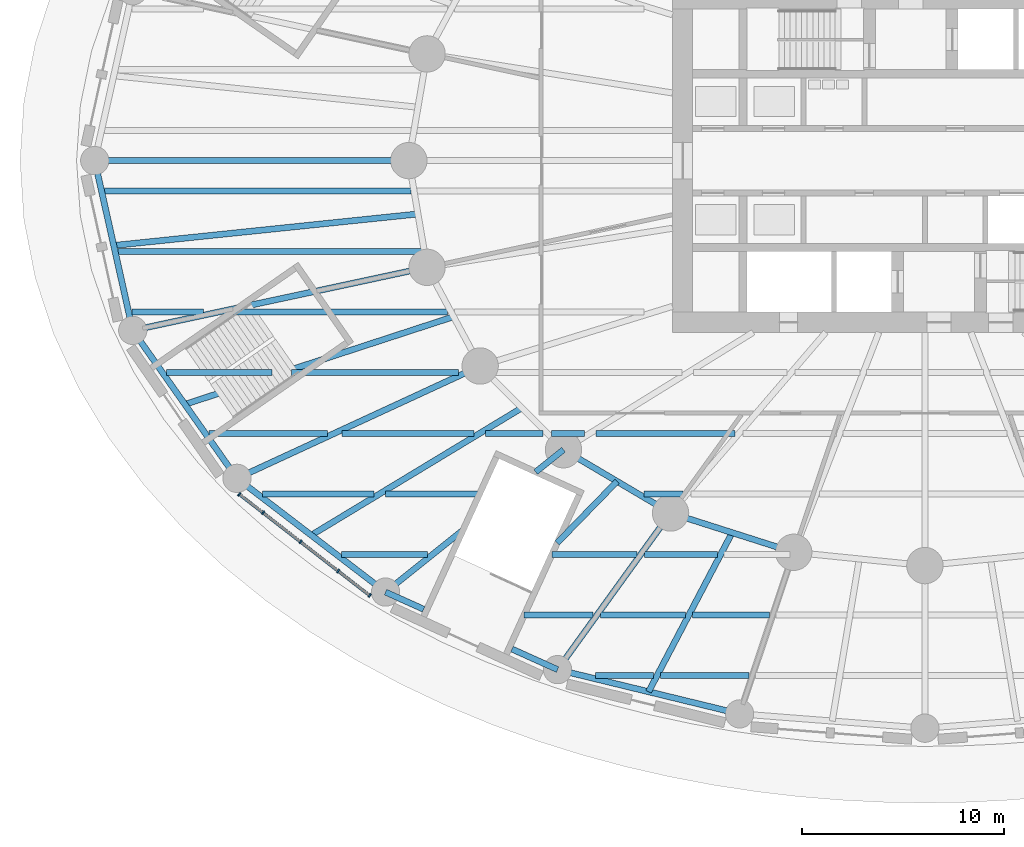
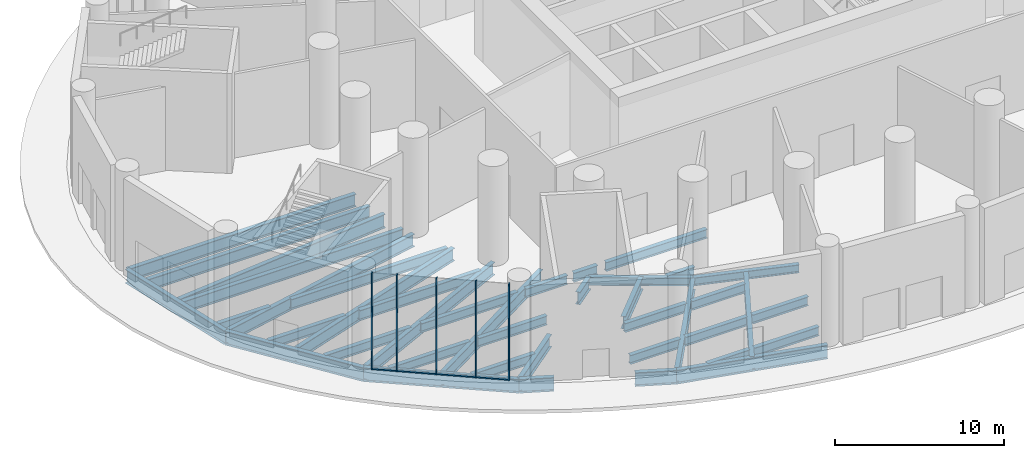
# One storey, part 2 of 22: 41 beams, 9 members, 1 element without a shape of its own.
"""IFC4 building model written with IfcOpenShell, lengths in metres."""

from ifc_helpers import new_model, si_unit, direction, frame, origin, origin_2d, place, context, subcontext, project, spatial, rectangle, i_section, extrude, material, material_profile, profile_set, type_object, element, aggregate, save


model = new_model("IFC4")

# Units and contexts
model_context = context("Model", 3, precision=1e-05, world=origin(), true_north=direction((0.0, 1.0)))
body_context = subcontext(model_context, "Body", "Model", "MODEL_VIEW")
ifc_project = project(units=[si_unit("LENGTHUNIT", "METRE"), si_unit("AREAUNIT", "SQUARE_METRE"), si_unit("VOLUMEUNIT", "CUBIC_METRE"), si_unit("PLANEANGLEUNIT", "RADIAN"), si_unit("MASSUNIT", "GRAM", prefix="KILO")], contexts=[model_context])

# Site, building, storey
site_placement = place(None, origin())
site = spatial("IfcSite", under=ifc_project, at=site_placement, CompositionType="ELEMENT")
building_placement = place(site_placement, origin())
building = spatial("IfcBuilding", under=site, at=building_placement, Name="Hankou Lantern Tower", CompositionType="ELEMENT")
storey_placement = place(building_placement, origin())
storey = spatial("IfcBuildingStorey", under=building, at=storey_placement, Name="L00", CompositionType="ELEMENT", Elevation=0.0)

# Beams
ifc_material_1 = material(Name="Steel Q355B", Category="steel")
ifc_material_profile_1 = material_profile(ifc_material_1, i_section(OverallWidth=0.300048828125, OverallDepth=0.587890625, WebThickness=0.011962890625, FlangeThickness=0.02001953125, FilletRadius=0.01806640625, at=origin_2d()), Name="HM588x300x12x20")
ifc_profile_set_1 = profile_set([ifc_material_profile_1], Name="Steel Q355B")
beam_type_1 = type_object("IfcBeamType", Name="EB16 RING BEAM HM588x300x12x20", PredefinedType="SPANDREL", material=ifc_profile_set_1)
beam_1_placement = place(storey_placement, frame((-17.891845703125, -14.3134765625, -0.5439453125), z_axis=(0.860881533543, -0.508805449268, 0.0), x_axis=(0.508805449268, 0.860881533543, 0.0)))
element("IfcBeam", 1, at=beam_1_placement, inside=storey, type_object=beam_type_1, Name="Ring beam R16-R17 L00", PredefinedType="SPANDREL", context=body_context, shape_type="SweptSolid", body=[
    extrude(i_section(OverallWidth=0.300048828125, OverallDepth=0.587890625, WebThickness=0.011962890625, FlangeThickness=0.02001953125, FilletRadius=0.01806640625, at=origin_2d()), origin(), (0.0, 0.0, 1.0), 6.15771484375),
])
beam_2_placement = place(storey_placement, frame((-12.5908203125, -17.446533203125, -0.5439453125), z_axis=(0.952690479428, -0.303942182671, 0.0), x_axis=(0.303942182671, 0.952690479428, 0.0)))
element("IfcBeam", 2, at=beam_2_placement, inside=storey, type_object=beam_type_1, Name="Ring beam R17-R18 L00", PredefinedType="SPANDREL", context=body_context, shape_type="SweptSolid", body=[
    extrude(i_section(OverallWidth=0.300048828125, OverallDepth=0.587890625, WebThickness=0.011962890625, FlangeThickness=0.02001953125, FilletRadius=0.01806640625, at=origin_2d()), origin(), (0.0, 0.0, 1.0), 6.398681640625),
])

# Curtain wall, members
ifc_material_2 = material(Name="Glass, dark grey tinted laminated", Category="glass")
curtain_wall_type = type_object("IfcCurtainWallType", Name="CWP PODIUM CURTAIN WALL", PredefinedType="USERDEFINED", material=ifc_material_2)
curtain_wall_placement = place(storey_placement, origin())
curtain_wall = element("IfcCurtainWall", 3, at=curtain_wall_placement, inside=storey, type_object=curtain_wall_type, Name="CWP L00 PC06", ObjectType="PODIUM GLAZING", PredefinedType="USERDEFINED")
ifc_material_3 = material(Name="Aluminium, black anodised", Category="aluminium")
ifc_material_profile_2 = material_profile(ifc_material_3, rectangle(XDim=0.080078125, YDim=0.199951171875, at=origin_2d()), Name="MU2 80X200")
ifc_profile_set_2 = profile_set([ifc_material_profile_2], Name="Aluminium, black anodised")
member_type_1 = type_object("IfcMemberType", Name="MU2 PODIUM MULLION 80X200", PredefinedType="MULLION", material=ifc_profile_set_2)
member_1_placement = place(storey_placement, frame((-33.945068359375, -16.520751953125, 0.0), z_axis=(0.0, 0.0, 1.0), x_axis=(0.790129760642, -0.612939606608, 0.0)))
member_1 = element("IfcMember", 4, at=member_1_placement, type_object=member_type_1, Name="CWP mullion 1", PredefinedType="MULLION", context=body_context, shape_type="SweptSolid", body=[
    extrude(rectangle(XDim=0.080078125, YDim=0.199951171875, at=origin_2d()), origin(), (0.0, 0.0, 1.0), 6.949951171875),
])
member_2_placement = place(storey_placement, frame((-32.76806640625, -17.433837890625, 0.0), z_axis=(0.0, 0.0, 1.0), x_axis=(0.790129760642, -0.612939606608, 0.0)))
member_2 = element("IfcMember", 5, at=member_2_placement, type_object=member_type_1, Name="CWP mullion 2", PredefinedType="MULLION", context=body_context, shape_type="SweptSolid", body=[
    extrude(rectangle(XDim=0.080078125, YDim=0.199951171875, at=origin_2d()), origin(), (0.0, 0.0, 1.0), 6.949951171875),
])
member_3_placement = place(storey_placement, frame((-30.91064453125, -18.874755859375, 0.0), z_axis=(0.0, 0.0, 1.0), x_axis=(0.790129760642, -0.612939606608, 0.0)))
member_3 = element("IfcMember", 6, at=member_3_placement, type_object=member_type_1, Name="CWP mullion 3", PredefinedType="MULLION", context=body_context, shape_type="SweptSolid", body=[
    extrude(rectangle(XDim=0.080078125, YDim=0.199951171875, at=origin_2d()), origin(), (0.0, 0.0, 1.0), 6.949951171875),
])
member_4_placement = place(storey_placement, frame((-29.05322265625, -20.315673828125, 0.0), z_axis=(0.0, 0.0, 1.0), x_axis=(0.790129760642, -0.612939606608, 0.0)))
member_4 = element("IfcMember", 7, at=member_4_placement, type_object=member_type_1, Name="CWP mullion 4", PredefinedType="MULLION", context=body_context, shape_type="SweptSolid", body=[
    extrude(rectangle(XDim=0.080078125, YDim=0.199951171875, at=origin_2d()), origin(), (0.0, 0.0, 1.0), 6.949951171875),
])
member_5_placement = place(storey_placement, frame((-27.487060546875, -21.530517578125, 0.0), z_axis=(0.0, 0.0, 1.0), x_axis=(0.790129760642, -0.612939606608, 0.0)))
member_5 = element("IfcMember", 8, at=member_5_placement, type_object=member_type_1, Name="CWP mullion 5", PredefinedType="MULLION", context=body_context, shape_type="SweptSolid", body=[
    extrude(rectangle(XDim=0.080078125, YDim=0.199951171875, at=origin_2d()), origin(), (0.0, 0.0, 1.0), 6.949951171875),
])

# Beams
ifc_material_4 = material(Name="Steel Q355B", Category="steel")
ifc_material_profile_3 = material_profile(ifc_material_4, i_section(OverallWidth=0.300048828125, OverallDepth=0.89990234375, WebThickness=0.01611328125, FlangeThickness=0.028076171875, FilletRadius=0.01806640625, at=origin_2d()), Name="HN900x300x16x28")
ifc_profile_set_3 = profile_set([ifc_material_profile_3], Name="Steel Q355B")
beam_type_2 = type_object("IfcBeamType", Name="PB13 PODIUM RADIAL BEAM HN900x300x16x28", PredefinedType="BEAM", material=ifc_profile_set_3)
beam_3_placement = place(storey_placement, frame((-25.550048828125, 0.0, -0.699951171875), z_axis=(-1.0, 0.0, 0.0), x_axis=(0.0, -1.0, 0.0)))
element("IfcBeam", 9, at=beam_3_placement, inside=storey, type_object=beam_type_2, Name="Podium radial beam R13 L00", PredefinedType="BEAM", context=body_context, shape_type="SweptSolid", body=[
    extrude(i_section(OverallWidth=0.300048828125, OverallDepth=0.89990234375, WebThickness=0.01611328125, FlangeThickness=0.028076171875, FilletRadius=0.01806640625, at=origin_2d()), origin(), (0.0, 0.0, 1.0), 15.550048828125),
])
beam_4_placement = place(storey_placement, frame((-24.64697265625, -5.283203125, -0.699951171875), z_axis=(-0.977784908271, -0.209610765845, 0.0), x_axis=(0.209610765845, -0.977784908271, 0.0)))
element("IfcBeam", 10, at=beam_4_placement, inside=storey, type_object=beam_type_2, Name="Podium radial beam R14 L00", PredefinedType="BEAM", context=body_context, shape_type="SweptSolid", body=[
    extrude(i_section(OverallWidth=0.300048828125, OverallDepth=0.89990234375, WebThickness=0.01611328125, FlangeThickness=0.028076171875, FilletRadius=0.01806640625, at=origin_2d()), origin(), (0.0, 0.0, 1.0), 14.901611328125),
])
beam_5_placement = place(storey_placement, frame((-22.01904296875, -10.170166015625, -0.699951171875), z_axis=(-0.907840792808, -0.419315030633, 0.0), x_axis=(0.419315030633, -0.907840792808, 0.0)))
element("IfcBeam", 11, at=beam_5_placement, inside=storey, type_object=beam_type_2, Name="Podium radial beam R15 L00", PredefinedType="BEAM", context=body_context, shape_type="SweptSolid", body=[
    extrude(i_section(OverallWidth=0.300048828125, OverallDepth=0.89990234375, WebThickness=0.01611328125, FlangeThickness=0.028076171875, FilletRadius=0.01806640625, at=origin_2d()), origin(), (0.0, 0.0, 1.0), 13.259765625),
])
beam_6_placement = place(storey_placement, frame((-17.891845703125, -14.3134765625, -0.699951171875), z_axis=(-0.780882307425, -0.624678174703, 0.0), x_axis=(0.624678174703, -0.780882307425, 0.0)))
element("IfcBeam", 12, at=beam_6_placement, inside=storey, type_object=beam_type_2, Name="Podium radial beam R16 L00 inner part", PredefinedType="BEAM", context=body_context, shape_type="SweptSolid", body=[
    extrude(i_section(OverallWidth=0.300048828125, OverallDepth=0.89990234375, WebThickness=0.01611328125, FlangeThickness=0.028076171875, FilletRadius=0.01806640625, at=origin_2d()), origin(), (0.0, 0.0, 1.0), 1.7646484375),
])
beam_7_placement = place(storey_placement, frame((-22.862548828125, -18.2900390625, -0.699951171875), z_axis=(-0.780883341642, -0.624676881872, 0.0), x_axis=(0.624676881872, -0.780883341642, 0.0)))
element("IfcBeam", 13, at=beam_7_placement, inside=storey, type_object=beam_type_2, Name="Podium radial beam R16 L00 outer part", PredefinedType="BEAM", context=body_context, shape_type="SweptSolid", body=[
    extrude(i_section(OverallWidth=0.300048828125, OverallDepth=0.89990234375, WebThickness=0.01611328125, FlangeThickness=0.028076171875, FilletRadius=0.01806640625, at=origin_2d()), origin(), (0.0, 0.0, 1.0), 4.9169921875),
])
beam_8_placement = place(storey_placement, frame((-12.5908203125, -17.446533203125, -0.699951171875), z_axis=(-0.585207097055, -0.810883871807, 0.0), x_axis=(0.810883871807, -0.585207097055, 0.0)))
element("IfcBeam", 14, at=beam_8_placement, inside=storey, type_object=beam_type_2, Name="Podium radial beam R17 L00", PredefinedType="BEAM", context=body_context, shape_type="SweptSolid", body=[
    extrude(i_section(OverallWidth=0.300048828125, OverallDepth=0.89990234375, WebThickness=0.01611328125, FlangeThickness=0.028076171875, FilletRadius=0.01806640625, at=origin_2d()), origin(), (0.0, 0.0, 1.0), 9.56103515625),
])
ifc_material_5 = material(Name="Steel Q355B", Category="steel")
ifc_material_profile_4 = material_profile(ifc_material_5, i_section(OverallWidth=0.300048828125, OverallDepth=1.0, WebThickness=0.01904296875, FlangeThickness=0.035888671875, FilletRadius=0.01806640625, at=origin_2d()), Name="HN1000x300x19x36")
ifc_profile_set_4 = profile_set([ifc_material_profile_4], Name="Steel Q355B")
beam_type_3 = type_object("IfcBeamType", Name="PR22 PODIUM RING BEAM HN1000x300x19x36", PredefinedType="BEAM", material=ifc_profile_set_4)
beam_9_placement = place(storey_placement, frame((-41.10009765625, 0.0, -0.75), z_axis=(0.218523498172, -0.975831686689, 0.0), x_axis=(0.975831686689, 0.218523498172, 0.0)))
element("IfcBeam", 15, at=beam_9_placement, inside=storey, type_object=beam_type_3, Name="Podium ring beam R13-R14 L00", PredefinedType="BEAM", context=body_context, shape_type="SweptSolid", body=[
    extrude(i_section(OverallWidth=0.300048828125, OverallDepth=1.0, WebThickness=0.01904296875, FlangeThickness=0.035888671875, FilletRadius=0.01806640625, at=origin_2d()), origin(), (0.0, 0.0, 1.0), 8.614990234375),
])
beam_10_placement = place(storey_placement, frame((-39.217529296875, -8.40673828125, -0.75), z_axis=(0.576021821376, -0.817434316199, 0.0), x_axis=(0.817434316199, 0.576021821376, 0.0)))
element("IfcBeam", 16, at=beam_10_placement, inside=storey, type_object=beam_type_3, Name="Podium ring beam R14-R15 L00", PredefinedType="BEAM", context=body_context, shape_type="SweptSolid", body=[
    extrude(i_section(OverallWidth=0.300048828125, OverallDepth=1.0, WebThickness=0.01904296875, FlangeThickness=0.035888671875, FilletRadius=0.01806640625, at=origin_2d()), origin(), (0.0, 0.0, 1.0), 8.959228515625),
])
beam_11_placement = place(storey_placement, frame((-34.056884765625, -15.730224609375, -0.75), z_axis=(0.793985875103, -0.607936205647, 0.0), x_axis=(0.607936205647, 0.793985875103, 0.0)))
element("IfcBeam", 17, at=beam_11_placement, inside=storey, type_object=beam_type_3, Name="Podium ring beam R15-R16 L00", PredefinedType="BEAM", context=body_context, shape_type="SweptSolid", body=[
    extrude(i_section(OverallWidth=0.300048828125, OverallDepth=1.0, WebThickness=0.01904296875, FlangeThickness=0.035888671875, FilletRadius=0.01806640625, at=origin_2d()), origin(), (0.0, 0.0, 1.0), 9.262939453125),
])
beam_12_placement = place(storey_placement, frame((-26.7021484375, -21.361572265625, -0.75), z_axis=(0.911680465406, -0.410899901431, 0.0), x_axis=(0.410899901431, 0.911680465406, 0.0)))
element("IfcBeam", 18, at=beam_12_placement, inside=storey, type_object=beam_type_3, Name="Podium ring beam R16-R17 L00 west part", PredefinedType="BEAM", context=body_context, shape_type="SweptSolid", body=[
    extrude(i_section(OverallWidth=0.300048828125, OverallDepth=1.0, WebThickness=0.01904296875, FlangeThickness=0.035888671875, FilletRadius=0.01806640625, at=origin_2d()), origin(), (0.0, 0.0, 1.0), 2.067138671875),
])
beam_13_placement = place(storey_placement, frame((-20.44140625, -24.18310546875, -0.75), z_axis=(0.911703477689, -0.410848839318, 0.0), x_axis=(0.410848839318, 0.911703477689, 0.0)))
element("IfcBeam", 19, at=beam_13_placement, inside=storey, type_object=beam_type_3, Name="Podium ring beam R16-R17 L00 east part", PredefinedType="BEAM", context=body_context, shape_type="SweptSolid", body=[
    extrude(i_section(OverallWidth=0.300048828125, OverallDepth=1.0, WebThickness=0.01904296875, FlangeThickness=0.035888671875, FilletRadius=0.01806640625, at=origin_2d()), origin(), (0.0, 0.0, 1.0), 2.473876953125),
])
beam_14_placement = place(storey_placement, frame((-18.18603515625, -25.199462890625, -0.75), z_axis=(0.971677242441, -0.23631194748, 0.0), x_axis=(0.23631194748, 0.971677242441, 0.0)))
element("IfcBeam", 20, at=beam_14_placement, inside=storey, type_object=beam_type_3, Name="Podium ring beam R17-R18 L00", PredefinedType="BEAM", context=body_context, shape_type="SweptSolid", body=[
    extrude(i_section(OverallWidth=0.300048828125, OverallDepth=1.0, WebThickness=0.01904296875, FlangeThickness=0.035888671875, FilletRadius=0.01806640625, at=origin_2d()), origin(), (0.0, 0.0, 1.0), 9.2744140625),
])
ifc_material_6 = material(Name="Steel Q355B", Category="steel")
ifc_material_profile_5 = material_profile(ifc_material_6, i_section(OverallWidth=0.300048828125, OverallDepth=0.89990234375, WebThickness=0.01611328125, FlangeThickness=0.028076171875, FilletRadius=0.01806640625, at=origin_2d()), Name="HN900x300x16x28")
ifc_profile_set_5 = profile_set([ifc_material_profile_5], Name="Steel Q355B")
beam_type_4 = type_object("IfcBeamType", Name="PS13 PODIUM SECONDARY BEAM HN900x300x16x28", PredefinedType="JOIST", material=ifc_profile_set_5)
beam_15_placement = place(storey_placement, frame((-23.3330078125, -7.726806640625, -0.699951171875), z_axis=(-0.950661853908, -0.310229011415, 0.0), x_axis=(0.310229011415, -0.950661853908, 0.0)))
element("IfcBeam", 21, at=beam_15_placement, inside=storey, type_object=beam_type_4, Name="Podium secondary beam bay R14 L00", PredefinedType="JOIST", context=body_context, shape_type="SweptSolid", body=[
    extrude(i_section(OverallWidth=0.300048828125, OverallDepth=0.89990234375, WebThickness=0.01611328125, FlangeThickness=0.028076171875, FilletRadius=0.01806640625, at=origin_2d()), origin(), (0.0, 0.0, 1.0), 13.99462890625),
])
beam_16_placement = place(storey_placement, frame((-19.955322265625, -12.24169921875, -0.699951171875), z_axis=(-0.855685755165, -0.517495785884, 0.0), x_axis=(0.517495785884, -0.855685755165, 0.0)))
element("IfcBeam", 22, at=beam_16_placement, inside=storey, type_object=beam_type_4, Name="Podium secondary beam bay R15 L00", PredefinedType="JOIST", context=body_context, shape_type="SweptSolid", body=[
    extrude(i_section(OverallWidth=0.300048828125, OverallDepth=0.89990234375, WebThickness=0.01611328125, FlangeThickness=0.028076171875, FilletRadius=0.01806640625, at=origin_2d()), origin(), (0.0, 0.0, 1.0), 12.18212890625),
])
beam_17_placement = place(storey_placement, frame((-15.2412109375, -15.8798828125, -0.699951171875), z_axis=(-0.697479343091, -0.716604888319, 0.0), x_axis=(0.716604888319, -0.697479343091, 0.0)))
element("IfcBeam", 23, at=beam_17_placement, inside=storey, type_object=beam_type_4, Name="Podium secondary beam bay R16 L00", PredefinedType="JOIST", context=body_context, shape_type="SweptSolid", body=[
    extrude(i_section(OverallWidth=0.300048828125, OverallDepth=0.89990234375, WebThickness=0.01611328125, FlangeThickness=0.028076171875, FilletRadius=0.01806640625, at=origin_2d()), origin(), (0.0, 0.0, 1.0), 4.250732421875),
])
beam_18_placement = place(storey_placement, frame((-9.54296875, -18.4189453125, -0.699951171875), z_axis=(-0.465026961303, -0.88529651827, 0.0), x_axis=(0.88529651827, -0.465026961303, 0.0)))
element("IfcBeam", 24, at=beam_18_placement, inside=storey, type_object=beam_type_4, Name="Podium secondary beam bay R17 L00", PredefinedType="JOIST", context=body_context, shape_type="SweptSolid", body=[
    extrude(i_section(OverallWidth=0.300048828125, OverallDepth=0.89990234375, WebThickness=0.01611328125, FlangeThickness=0.028076171875, FilletRadius=0.01806640625, at=origin_2d()), origin(), (0.0, 0.0, 1.0), 8.896728515625),
])
ifc_material_7 = material(Name="Steel Q355B", Category="steel")
ifc_material_profile_6 = material_profile(ifc_material_7, i_section(OverallWidth=0.300048828125, OverallDepth=1.0, WebThickness=0.01904296875, FlangeThickness=0.035888671875, FilletRadius=0.01806640625, at=origin_2d()), Name="HN1000x300x19x36")
ifc_profile_set_6 = profile_set([ifc_material_profile_6], Name="Steel Q355B")
beam_type_5 = type_object("IfcBeamType", Name="PS22 PODIUM SECONDARY BEAM HN1000x300x19x36", PredefinedType="JOIST", material=ifc_profile_set_6)
beam_19_placement = place(storey_placement, frame((-25.098388671875, -2.6416015625, -0.75), z_axis=(-0.994666039581, -0.103147805132, 0.0), x_axis=(0.103147805132, -0.994666039581, 0.0)))
element("IfcBeam", 25, at=beam_19_placement, inside=storey, type_object=beam_type_5, Name="Podium secondary beam bay R13 L00", PredefinedType="JOIST", context=body_context, shape_type="SweptSolid", body=[
    extrude(i_section(OverallWidth=0.300048828125, OverallDepth=1.0, WebThickness=0.01904296875, FlangeThickness=0.035888671875, FilletRadius=0.01806640625, at=origin_2d()), origin(), (0.0, 0.0, 1.0), 15.14111328125),
])
ifc_material_8 = material(Name="Steel Q355B", Category="steel")
ifc_material_profile_7 = material_profile(ifc_material_8, i_section(OverallWidth=0.300048828125, OverallDepth=0.75, WebThickness=0.012939453125, FlangeThickness=0.02392578125, FilletRadius=0.01806640625, at=origin_2d()), Name="HN750x300x13x24")
ifc_profile_set_7 = profile_set([ifc_material_profile_7], Name="Steel Q355B")
beam_type_6 = type_object("IfcBeamType", Name="SB10 SECONDARY BEAM HN750x300x13x24", PredefinedType="JOIST", material=ifc_profile_set_7)
beam_20_placement = place(storey_placement, frame((-31.34765625, -10.5, -0.625), z_axis=(1.0, 0.0, 0.0), x_axis=(0.0, 1.0, 0.0)))
element("IfcBeam", 26, at=beam_20_placement, inside=storey, type_object=beam_type_6, Name="Floor joist J060 L00", PredefinedType="JOIST", context=body_context, shape_type="SweptSolid", body=[
    extrude(i_section(OverallWidth=0.300048828125, OverallDepth=0.75, WebThickness=0.012939453125, FlangeThickness=0.02392578125, FilletRadius=0.01806640625, at=origin_2d()), origin(), (0.0, 0.0, 1.0), 8.2568359375),
])
beam_21_placement = place(storey_placement, frame((-34.2724609375, -7.5, -0.625), z_axis=(1.0, 0.0, 0.0), x_axis=(0.0, 1.0, 0.0)))
element("IfcBeam", 27, at=beam_21_placement, inside=storey, type_object=beam_type_6, Name="Floor joist J072 L00", PredefinedType="JOIST", context=body_context, shape_type="SweptSolid", body=[
    extrude(i_section(OverallWidth=0.300048828125, OverallDepth=0.75, WebThickness=0.012939453125, FlangeThickness=0.02392578125, FilletRadius=0.01806640625, at=origin_2d()), origin(), (0.0, 0.0, 1.0), 10.647216796875),
])
ifc_material_9 = material(Name="Steel Q355B", Category="steel")
ifc_material_profile_8 = material_profile(ifc_material_9, i_section(OverallWidth=0.300048828125, OverallDepth=0.85009765625, WebThickness=0.01611328125, FlangeThickness=0.027099609375, FilletRadius=0.01806640625, at=origin_2d()), Name="HN850x300x16x27")
ifc_profile_set_8 = profile_set([ifc_material_profile_8], Name="Steel Q355B")
beam_type_7 = type_object("IfcBeamType", Name="SB12 SECONDARY BEAM HN850x300x16x27", PredefinedType="JOIST", material=ifc_profile_set_8)
beam_22_placement = place(storey_placement, frame((-39.938720703125, -4.5, -0.675048828125), z_axis=(1.0, 0.0, 0.0), x_axis=(0.0, 1.0, 0.0)))
element("IfcBeam", 28, at=beam_22_placement, inside=storey, type_object=beam_type_7, Name="Floor joist J077 L00", PredefinedType="JOIST", context=body_context, shape_type="SweptSolid", body=[
    extrude(i_section(OverallWidth=0.300048828125, OverallDepth=0.85009765625, WebThickness=0.01611328125, FlangeThickness=0.027099609375, FilletRadius=0.01806640625, at=origin_2d()), origin(), (0.0, 0.0, 1.0), 15.005615234375),
])
beam_23_placement = place(storey_placement, frame((-40.6103515625, -1.5, -0.675048828125), z_axis=(1.0, 0.0, 0.0), x_axis=(0.0, 1.0, 0.0)))
element("IfcBeam", 29, at=beam_23_placement, inside=storey, type_object=beam_type_7, Name="Floor joist J083 L00", PredefinedType="JOIST", context=body_context, shape_type="SweptSolid", body=[
    extrude(i_section(OverallWidth=0.300048828125, OverallDepth=0.85009765625, WebThickness=0.01611328125, FlangeThickness=0.027099609375, FilletRadius=0.01806640625, at=origin_2d()), origin(), (0.0, 0.0, 1.0), 15.16455078125),
])
ifc_material_10 = material(Name="Steel Q355B", Category="steel")
ifc_material_profile_9 = material_profile(ifc_material_10, i_section(OverallWidth=0.300048828125, OverallDepth=0.64990234375, WebThickness=0.010986328125, FlangeThickness=0.01708984375, FilletRadius=0.01806640625, at=origin_2d()), Name="HN650x300x11x17")
ifc_profile_set_9 = profile_set([ifc_material_profile_9], Name="Steel Q355B")
beam_type_8 = type_object("IfcBeamType", Name="SB8 SECONDARY BEAM HN650x300x11x17", PredefinedType="JOIST", material=ifc_profile_set_9)
beam_24_placement = place(storey_placement, frame((-16.3154296875, -25.5, -0.574951171875), z_axis=(1.0, 0.0, 0.0), x_axis=(0.0, 1.0, 0.0)))
element("IfcBeam", 30, at=beam_24_placement, inside=storey, type_object=beam_type_8, Name="Floor joist J001 L00", PredefinedType="JOIST", context=body_context, shape_type="SweptSolid", body=[
    extrude(i_section(OverallWidth=0.300048828125, OverallDepth=0.64990234375, WebThickness=0.010986328125, FlangeThickness=0.01708984375, FilletRadius=0.01806640625, at=origin_2d()), origin(), (0.0, 0.0, 1.0), 2.883544921875),
])
beam_25_placement = place(storey_placement, frame((-13.093017578125, -25.5, -0.574951171875), z_axis=(1.0, 0.0, 0.0), x_axis=(0.0, 1.0, 0.0)))
element("IfcBeam", 31, at=beam_25_placement, inside=storey, type_object=beam_type_8, Name="Floor joist J002 L00", PredefinedType="JOIST", context=body_context, shape_type="SweptSolid", body=[
    extrude(i_section(OverallWidth=0.300048828125, OverallDepth=0.64990234375, WebThickness=0.010986328125, FlangeThickness=0.01708984375, FilletRadius=0.01806640625, at=origin_2d()), origin(), (0.0, 0.0, 1.0), 4.39404296875),
])
beam_26_placement = place(storey_placement, frame((-19.837890625, -22.5, -0.574951171875), z_axis=(1.0, 0.0, 0.0), x_axis=(0.0, 1.0, 0.0)))
element("IfcBeam", 32, at=beam_26_placement, inside=storey, type_object=beam_type_8, Name="Floor joist J010 L00", PredefinedType="JOIST", context=body_context, shape_type="SweptSolid", body=[
    extrude(i_section(OverallWidth=0.300048828125, OverallDepth=0.64990234375, WebThickness=0.010986328125, FlangeThickness=0.01708984375, FilletRadius=0.01806640625, at=origin_2d()), origin(), (0.0, 0.0, 1.0), 3.414794921875),
])
beam_27_placement = place(storey_placement, frame((-16.052978515625, -22.5, -0.574951171875), z_axis=(1.0, 0.0, 0.0), x_axis=(0.0, 1.0, 0.0)))
element("IfcBeam", 33, at=beam_27_placement, inside=storey, type_object=beam_type_8, Name="Floor joist J011 L00", PredefinedType="JOIST", context=body_context, shape_type="SweptSolid", body=[
    extrude(i_section(OverallWidth=0.300048828125, OverallDepth=0.64990234375, WebThickness=0.010986328125, FlangeThickness=0.01708984375, FilletRadius=0.01806640625, at=origin_2d()), origin(), (0.0, 0.0, 1.0), 4.197021484375),
])
beam_28_placement = place(storey_placement, frame((-11.51708984375, -22.5, -0.574951171875), z_axis=(1.0, 0.0, 0.0), x_axis=(0.0, 1.0, 0.0)))
element("IfcBeam", 34, at=beam_28_placement, inside=storey, type_object=beam_type_8, Name="Floor joist J012 L00", PredefinedType="JOIST", context=body_context, shape_type="SweptSolid", body=[
    extrude(i_section(OverallWidth=0.300048828125, OverallDepth=0.64990234375, WebThickness=0.010986328125, FlangeThickness=0.01708984375, FilletRadius=0.01806640625, at=origin_2d()), origin(), (0.0, 0.0, 1.0), 3.82275390625),
])
beam_29_placement = place(storey_placement, frame((-28.88671875, -19.5, -0.574951171875), z_axis=(1.0, 0.0, 0.0), x_axis=(0.0, 1.0, 0.0)))
element("IfcBeam", 35, at=beam_29_placement, inside=storey, type_object=beam_type_8, Name="Floor joist J021 L00", PredefinedType="JOIST", context=body_context, shape_type="SweptSolid", body=[
    extrude(i_section(OverallWidth=0.300048828125, OverallDepth=0.64990234375, WebThickness=0.010986328125, FlangeThickness=0.01708984375, FilletRadius=0.01806640625, at=origin_2d()), origin(), (0.0, 0.0, 1.0), 4.271484375),
])
beam_30_placement = place(storey_placement, frame((-18.468017578125, -19.5, -0.574951171875), z_axis=(1.0, 0.0, 0.0), x_axis=(0.0, 1.0, 0.0)))
element("IfcBeam", 36, at=beam_30_placement, inside=storey, type_object=beam_type_8, Name="Floor joist J023 L00", PredefinedType="JOIST", context=body_context, shape_type="SweptSolid", body=[
    extrude(i_section(OverallWidth=0.300048828125, OverallDepth=0.64990234375, WebThickness=0.010986328125, FlangeThickness=0.01708984375, FilletRadius=0.01806640625, at=origin_2d()), origin(), (0.0, 0.0, 1.0), 4.210205078125),
])
beam_31_placement = place(storey_placement, frame((-13.887939453125, -19.5, -0.574951171875), z_axis=(1.0, 0.0, 0.0), x_axis=(0.0, 1.0, 0.0)))
element("IfcBeam", 37, at=beam_31_placement, inside=storey, type_object=beam_type_8, Name="Floor joist J024 L00", PredefinedType="JOIST", context=body_context, shape_type="SweptSolid", body=[
    extrude(i_section(OverallWidth=0.300048828125, OverallDepth=0.64990234375, WebThickness=0.010986328125, FlangeThickness=0.01708984375, FilletRadius=0.01806640625, at=origin_2d()), origin(), (0.0, 0.0, 1.0), 3.607666015625),
])
beam_32_placement = place(storey_placement, frame((-32.8046875, -16.5, -0.574951171875), z_axis=(1.0, 0.0, 0.0), x_axis=(0.0, 1.0, 0.0)))
element("IfcBeam", 38, at=beam_32_placement, inside=storey, type_object=beam_type_8, Name="Floor joist J033 L00", PredefinedType="JOIST", context=body_context, shape_type="SweptSolid", body=[
    extrude(i_section(OverallWidth=0.300048828125, OverallDepth=0.64990234375, WebThickness=0.010986328125, FlangeThickness=0.01708984375, FilletRadius=0.01806640625, at=origin_2d()), origin(), (0.0, 0.0, 1.0), 5.518310546875),
])
beam_33_placement = place(storey_placement, frame((-26.70654296875, -16.5, -0.574951171875), z_axis=(1.0, 0.0, 0.0), x_axis=(0.0, 1.0, 0.0)))
element("IfcBeam", 39, at=beam_33_placement, inside=storey, type_object=beam_type_8, Name="Floor joist J034 L00", PredefinedType="JOIST", context=body_context, shape_type="SweptSolid", body=[
    extrude(i_section(OverallWidth=0.300048828125, OverallDepth=0.64990234375, WebThickness=0.010986328125, FlangeThickness=0.01708984375, FilletRadius=0.01806640625, at=origin_2d()), origin(), (0.0, 0.0, 1.0), 4.661376953125),
])
beam_34_placement = place(storey_placement, frame((-13.8974609375, -16.5, -0.574951171875), z_axis=(1.0, 0.0, 0.0), x_axis=(0.0, 1.0, 0.0)))
element("IfcBeam", 40, at=beam_34_placement, inside=storey, type_object=beam_type_8, Name="Floor joist J036 L00", PredefinedType="JOIST", context=body_context, shape_type="SweptSolid", body=[
    extrude(i_section(OverallWidth=0.300048828125, OverallDepth=0.64990234375, WebThickness=0.010986328125, FlangeThickness=0.01708984375, FilletRadius=0.01806640625, at=origin_2d()), origin(), (0.0, 0.0, 1.0), 1.921630859375),
])
beam_35_placement = place(storey_placement, frame((-35.44482421875, -13.5, -0.574951171875), z_axis=(1.0, 0.0, 0.0), x_axis=(0.0, 1.0, 0.0)))
element("IfcBeam", 41, at=beam_35_placement, inside=storey, type_object=beam_type_8, Name="Floor joist J045 L00", PredefinedType="JOIST", context=body_context, shape_type="SweptSolid", body=[
    extrude(i_section(OverallWidth=0.300048828125, OverallDepth=0.64990234375, WebThickness=0.010986328125, FlangeThickness=0.01708984375, FilletRadius=0.01806640625, at=origin_2d()), origin(), (0.0, 0.0, 1.0), 5.858642578125),
])
beam_36_placement = place(storey_placement, frame((-28.87060546875, -13.5, -0.574951171875), z_axis=(1.0, 0.0, 0.0), x_axis=(0.0, 1.0, 0.0)))
element("IfcBeam", 42, at=beam_36_placement, inside=storey, type_object=beam_type_8, Name="Floor joist J046 L00", PredefinedType="JOIST", context=body_context, shape_type="SweptSolid", body=[
    extrude(i_section(OverallWidth=0.300048828125, OverallDepth=0.64990234375, WebThickness=0.010986328125, FlangeThickness=0.01708984375, FilletRadius=0.01806640625, at=origin_2d()), origin(), (0.0, 0.0, 1.0), 6.544921875),
])
beam_37_placement = place(storey_placement, frame((-21.74609375, -13.5, -0.574951171875), z_axis=(1.0, 0.0, 0.0), x_axis=(0.0, 1.0, 0.0)))
element("IfcBeam", 43, at=beam_37_placement, inside=storey, type_object=beam_type_8, Name="Floor joist J047 L00", PredefinedType="JOIST", context=body_context, shape_type="SweptSolid", body=[
    extrude(i_section(OverallWidth=0.300048828125, OverallDepth=0.64990234375, WebThickness=0.010986328125, FlangeThickness=0.01708984375, FilletRadius=0.01806640625, at=origin_2d()), origin(), (0.0, 0.0, 1.0), 2.832275390625),
])
beam_38_placement = place(storey_placement, frame((-18.490234375, -13.5, -0.574951171875), z_axis=(1.0, 0.0, 0.0), x_axis=(0.0, 1.0, 0.0)))
element("IfcBeam", 44, at=beam_38_placement, inside=storey, type_object=beam_type_8, Name="Floor joist J048 L00", PredefinedType="JOIST", context=body_context, shape_type="SweptSolid", body=[
    extrude(i_section(OverallWidth=0.300048828125, OverallDepth=0.64990234375, WebThickness=0.010986328125, FlangeThickness=0.01708984375, FilletRadius=0.01806640625, at=origin_2d()), origin(), (0.0, 0.0, 1.0), 1.62744140625),
])
beam_39_placement = place(storey_placement, frame((-16.292724609375, -13.5, -0.574951171875), z_axis=(1.0, 0.0, 0.0), x_axis=(0.0, 1.0, 0.0)))
element("IfcBeam", 45, at=beam_39_placement, inside=storey, type_object=beam_type_8, Name="Floor joist J049 L00", PredefinedType="JOIST", context=body_context, shape_type="SweptSolid", body=[
    extrude(i_section(OverallWidth=0.300048828125, OverallDepth=0.64990234375, WebThickness=0.010986328125, FlangeThickness=0.01708984375, FilletRadius=0.01806640625, at=origin_2d()), origin(), (0.0, 0.0, 1.0), 6.893310546875),
])
beam_40_placement = place(storey_placement, frame((-37.55908203125, -10.5, -0.574951171875), z_axis=(1.0, 0.0, 0.0), x_axis=(0.0, 1.0, 0.0)))
element("IfcBeam", 46, at=beam_40_placement, inside=storey, type_object=beam_type_8, Name="Floor joist J059 L00", PredefinedType="JOIST", context=body_context, shape_type="SweptSolid", body=[
    extrude(i_section(OverallWidth=0.300048828125, OverallDepth=0.64990234375, WebThickness=0.010986328125, FlangeThickness=0.01708984375, FilletRadius=0.01806640625, at=origin_2d()), origin(), (0.0, 0.0, 1.0), 5.244384765625),
])
beam_41_placement = place(storey_placement, frame((-39.266845703125, -7.5, -0.574951171875), z_axis=(1.0, 0.0, 0.0), x_axis=(0.0, 1.0, 0.0)))
element("IfcBeam", 47, at=beam_41_placement, inside=storey, type_object=beam_type_8, Name="Floor joist J071 L00", PredefinedType="JOIST", context=body_context, shape_type="SweptSolid", body=[
    extrude(i_section(OverallWidth=0.300048828125, OverallDepth=0.64990234375, WebThickness=0.010986328125, FlangeThickness=0.01708984375, FilletRadius=0.01806640625, at=origin_2d()), origin(), (0.0, 0.0, 1.0), 3.563232421875),
])

# Member
ifc_material_11 = material(Name="Aluminium, black anodised", Category="aluminium")
ifc_material_profile_10 = material_profile(ifc_material_11, rectangle(XDim=0.14990234375, YDim=0.080078125, at=origin_2d()), Name="TR2 150X80")
ifc_profile_set_10 = profile_set([ifc_material_profile_10], Name="Aluminium, black anodised")
member_type_2 = type_object("IfcMemberType", Name="TR2 PODIUM TRANSOM 150X80", PredefinedType="USERDEFINED", material=ifc_profile_set_10)
member_6_placement = place(storey_placement, frame((-33.913330078125, -16.54541015625, 0.0400390625), z_axis=(0.790144462034, -0.612920654829, 0.0), x_axis=(0.612920654829, 0.790144462034, 0.0)))
member_6 = element("IfcMember", 48, at=member_6_placement, type_object=member_type_2, Name="CWP transom 1", ObjectType="TRANSOM", PredefinedType="USERDEFINED", context=body_context, shape_type="SweptSolid", body=[
    extrude(rectangle(XDim=0.14990234375, YDim=0.080078125, at=origin_2d()), origin(), (0.0, 0.0, 1.0), 1.4091796875),
])

member_7_placement = place(storey_placement, frame((-32.736572265625, -17.458251953125, 0.0400390625), z_axis=(0.79016773701, -0.612890648802, 0.0), x_axis=(0.612890648802, 0.79016773701, 0.0)))
member_7 = element("IfcMember", 49, at=member_7_placement, type_object=member_type_2, Name="CWP transom 2", ObjectType="TRANSOM", PredefinedType="USERDEFINED", context=body_context, shape_type="SweptSolid", body=[
    extrude(rectangle(XDim=0.14990234375, YDim=0.080078125, at=origin_2d()), origin(), (0.0, 0.0, 1.0), 2.27099609375),
])

member_8_placement = place(storey_placement, frame((-30.879150390625, -18.899169921875, 0.0400390625), z_axis=(0.79016773701, -0.612890648802, 0.0), x_axis=(0.612890648802, 0.79016773701, 0.0)))
member_8 = element("IfcMember", 50, at=member_8_placement, type_object=member_type_2, Name="CWP transom 3", ObjectType="TRANSOM", PredefinedType="USERDEFINED", context=body_context, shape_type="SweptSolid", body=[
    extrude(rectangle(XDim=0.14990234375, YDim=0.080078125, at=origin_2d()), origin(), (0.0, 0.0, 1.0), 2.27099609375),
])

member_9_placement = place(storey_placement, frame((-29.021484375, -20.340087890625, 0.0400390625), z_axis=(0.790098015443, -0.612980526601, 0.0), x_axis=(0.612980526601, 0.790098015443, 0.0)))
member_9 = element("IfcMember", 51, at=member_9_placement, type_object=member_type_2, Name="CWP transom 4", ObjectType="TRANSOM", PredefinedType="USERDEFINED", context=body_context, shape_type="SweptSolid", body=[
    extrude(rectangle(XDim=0.14990234375, YDim=0.080078125, at=origin_2d()), origin(), (0.0, 0.0, 1.0), 1.902099609375),
])

aggregate(curtain_wall, [member_1, member_2, member_3, member_4, member_5, member_6, member_7, member_8, member_9])

save(model, "model.ifc")
